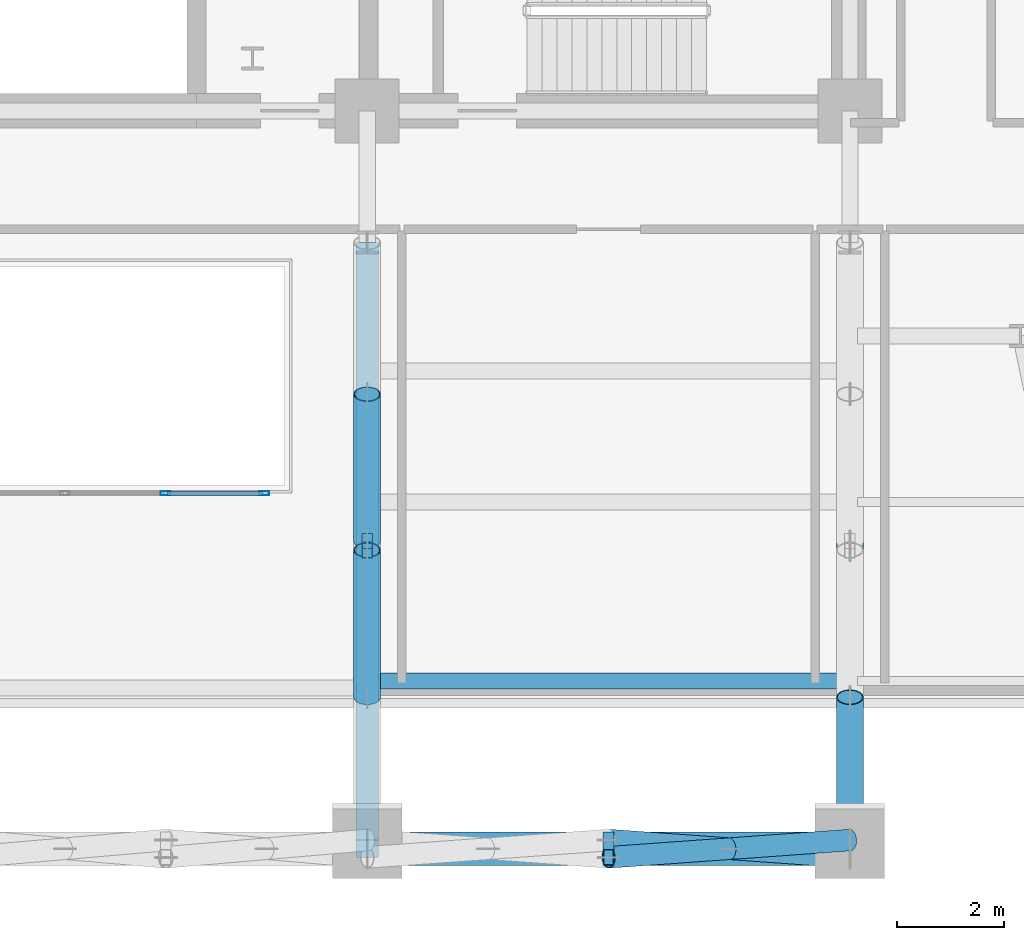
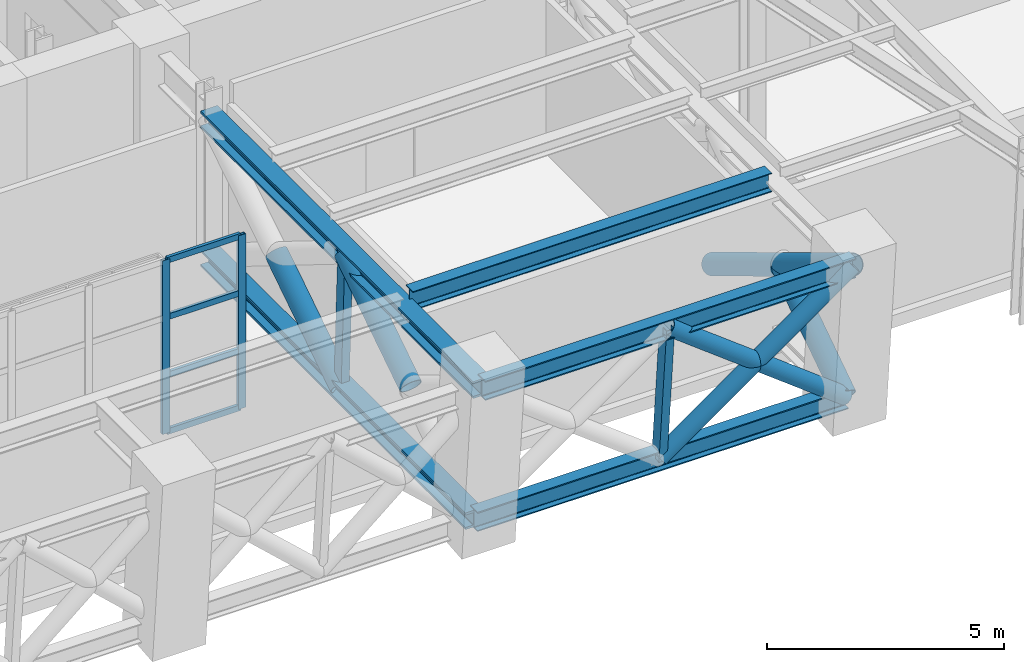
# One storey, part 4 of 13: 19 members, 1 beam, 1 element without a shape of its own.
"""IFC4 building model written with IfcOpenShell, lengths in metres."""

from ifc_helpers import new_model, si_unit, direction, frame, origin, origin_2d, place, context, subcontext, project, spatial, hollow_rectangle, hollow_circle, i_section, extrude, material, layer, layer_set, material_profile, profile_set, type_object, element, aggregate, save


model = new_model("IFC4")

# Units and contexts
model_context = context("Model", 3, precision=1e-05, world=origin(), true_north=direction((0.0, 1.0)))
body_context = subcontext(model_context, "Body", "Model", "MODEL_VIEW")
ifc_project = project(units=[si_unit("LENGTHUNIT", "METRE"), si_unit("AREAUNIT", "SQUARE_METRE"), si_unit("VOLUMEUNIT", "CUBIC_METRE"), si_unit("PLANEANGLEUNIT", "RADIAN"), si_unit("MASSUNIT", "GRAM", prefix="KILO")], contexts=[model_context])

# Site, building, storey
site_placement = place(None, origin())
site = spatial("IfcSite", under=ifc_project, at=site_placement, CompositionType="ELEMENT")
building_placement = place(site_placement, origin())
building = spatial("IfcBuilding", under=site, at=building_placement, Name="Zarnavel Station Tower", CompositionType="ELEMENT")
storey_placement = place(building_placement, frame((0.0, 0.0, 132.89990234375)))
storey = spatial("IfcBuildingStorey", under=building, at=storey_placement, Name="L36", CompositionType="ELEMENT", Elevation=132.89990234375)

# Members
ifc_material_1 = material(Name="Steel S460M", Category="steel")
ifc_material_profile_1 = material_profile(ifc_material_1, i_section(OverallWidth=0.300048828125, OverallDepth=0.5, WebThickness=0.014404296875, FlangeThickness=0.028076171875, FilletRadius=0.027099609375, at=origin_2d()), Name="HEB500")
ifc_profile_set_1 = profile_set([ifc_material_profile_1], Name="Steel S460M")
member_type_1 = type_object("IfcMemberType", Name="BT_CHORD_HEB500", PredefinedType="CHORD", material=ifc_profile_set_1)
for number, where, z_axis, x_axis, name in (
    (1, (36.35009765625, 14.148193359375, 0.400146484375), (1.0, 0.0, 0.0), (0.0, 1.0, 0.0), "L36 Perimeter Belt Truss Bottom Chord 4"),
    (2, (36.35009765625, 13.823974609375, 3.97998046875), (1.0, 0.0, 0.0), (0.0, 1.0, 0.0), "L36 Perimeter Belt Truss Top Chord 4"),
):
    element("IfcMember", number, at=place(storey_placement, frame(where, z_axis=z_axis, x_axis=x_axis)), inside=storey, type_object=member_type_1, Name=name, PredefinedType="CHORD", context=body_context, shape_type="SweptSolid", body=[
        extrude(i_section(OverallWidth=0.300048828125, OverallDepth=0.5, WebThickness=0.014404296875, FlangeThickness=0.028076171875, FilletRadius=0.027099609375, at=origin_2d()), origin(), (0.0, 0.0, 1.0), 9.0498046875),
    ])
ifc_material_2 = material(Name="Steel S460M", Category="steel")
ifc_material_profile_2 = material_profile(ifc_material_2, hollow_circle(Radius=0.203125, WallThickness=0.01611328125, at=origin_2d()), Name="CHS406.4x16")
ifc_profile_set_2 = profile_set([ifc_material_profile_2], Name="Steel S460M")
member_type_2 = type_object("IfcMemberType", Name="BT_DIAG_CHS406", PredefinedType="BRACE", material=ifc_profile_set_2)
member_1_placement = place(storey_placement, frame((40.875, 14.148193359375, 0.400146484375), z_axis=(0.783011299296, -0.056104403014, 0.619472034185), x_axis=(0.07146887229, 0.997442830589, 0.0)))
element("IfcMember", 3, at=member_1_placement, inside=storey, type_object=member_type_2, Name="L36 Belt Truss Continuous Diagonal A2 4", PredefinedType="BRACE", context=body_context, shape_type="SweptSolid", body=[
    extrude(hollow_circle(Radius=0.203125, WallThickness=0.01611328125, at=origin_2d()), origin(), (0.0, 0.0, 1.0), 5.77880859375),
])
for number, where, z_axis, x_axis, name in (
    (4, (45.39990234375, 14.148193359375, 0.400146484375), (-0.782990807201, -0.056102934713, 0.619498068242), (0.07146887229, -0.997442830589, 0.0), "L36 Belt Truss Split Diagonal B2 Lower 4"),
    (5, (43.137451171875, 13.986083984375, 2.190185546875), (-0.783031791603, -0.056105871331, 0.619445998083), (0.07146887229, -0.997442830589, 0.0), "L36 Belt Truss Split Diagonal B2 Upper 4"),
):
    element("IfcMember", number, at=place(storey_placement, frame(where, z_axis=z_axis, x_axis=x_axis)), inside=storey, type_object=member_type_2, Name=name, PredefinedType="BRACE", context=body_context, shape_type="SweptSolid", body=[
        extrude(hollow_circle(Radius=0.203125, WallThickness=0.01611328125, at=origin_2d()), origin(), (0.0, 0.0, 1.0), 2.889404296875),
    ])
ifc_material_3 = material(Name="Steel S460M", Category="steel")
ifc_material_profile_3 = material_profile(ifc_material_3, hollow_rectangle(XDim=0.199951171875, YDim=0.300048828125, WallThickness=0.012451171875, at=origin_2d()), Name="RHS300x200x12.5")
ifc_profile_set_3 = profile_set([ifc_material_profile_3], Name="Steel S460M")
member_type_3 = type_object("IfcMemberType", Name="BT_POST_RHS300", PredefinedType="POST", material=ifc_profile_set_3)
member_2_placement = place(storey_placement, frame((36.35009765625, 19.749267578125, 0.400146484375), z_axis=(0.0, -0.045305678131, 0.998973170575), x_axis=(1.0, 0.0, 0.0)))
element("IfcMember", 6, at=member_2_placement, inside=storey, type_object=member_type_3, Name="L36 Outrigger Mid-Span Post 3", PredefinedType="POST", context=body_context, shape_type="SweptSolid", body=[
    extrude(hollow_rectangle(XDim=0.199951171875, YDim=0.300048828125, WallThickness=0.012451171875, at=origin_2d()), origin(), (0.0, 0.0, 1.0), 3.58349609375),
])
member_3_placement = place(storey_placement, frame((40.875, 14.148193359375, 0.400146484375), z_axis=(0.0, -0.090198920139, 0.995923769576), x_axis=(1.0, 0.0, 0.0)))
element("IfcMember", 7, at=member_3_placement, inside=storey, type_object=member_type_3, Name="L36 Belt Truss Mid-Bay Post 4", PredefinedType="POST", context=body_context, shape_type="SweptSolid", body=[
    extrude(hollow_rectangle(XDim=0.199951171875, YDim=0.300048828125, WallThickness=0.012451171875, at=origin_2d()), origin(), (0.0, 0.0, 1.0), 3.594482421875),
])

# Curtain wall, members
ifc_material_4 = material(Name="Aluminium Dark Anodised and Solar-Control Glass", Category="aluminium")
ifc_layer = layer(ifc_material_4, 0.179931640625)
ifc_layer_set = layer_set([ifc_layer], Name="CWS4")
curtain_wall_type = type_object("IfcCurtainWallType", Name="CWS4", PredefinedType="NOTDEFINED", material=ifc_layer_set)
curtain_wall_placement = place(storey_placement, origin())
curtain_wall = element("IfcCurtainWall", 8, at=curtain_wall_placement, inside=storey, type_object=curtain_wall_type, Name="L36 Curtain Wall CWS4-L36-AS", PredefinedType="NOTDEFINED")
ifc_material_5 = material(Name="Steel S355J2 (Black Fluoropolymer Coated)", Category="steel")
ifc_material_profile_4 = material_profile(ifc_material_5, hollow_rectangle(XDim=0.080078125, YDim=0.179931640625, WallThickness=0.00634765625, at=origin_2d()), Name="RHS180x80x6.3")
ifc_profile_set_4 = profile_set([ifc_material_profile_4], Name="Steel S355J2 (Black Fluoropolymer Coated)")
member_type_4 = type_object("IfcMemberType", Name="CWS4_MUL", PredefinedType="MULLION", material=ifc_profile_set_4)
member_4_placement = place(storey_placement, frame((32.566650390625, 20.64990234375, 0.0), z_axis=(0.0, 0.0, 1.0), x_axis=(0.0, 1.0, 0.0)))
member_4 = element("IfcMember", 9, at=member_4_placement, type_object=member_type_4, Name="CW4 mullion 6", PredefinedType="MULLION", context=body_context, shape_type="SweptSolid", body=[
    extrude(hollow_rectangle(XDim=0.080078125, YDim=0.179931640625, WallThickness=0.00634765625, at=origin_2d()), origin(), (0.0, 0.0, 1.0), 4.47998046875),
])
member_5_placement = place(storey_placement, frame((34.419921875, 20.64990234375, 0.0), z_axis=(0.0, 0.0, 1.0), x_axis=(0.0, 1.0, 0.0)))
member_5 = element("IfcMember", 10, at=member_5_placement, type_object=member_type_4, Name="CW4 mullion 7", PredefinedType="MULLION", context=body_context, shape_type="SweptSolid", body=[
    extrude(hollow_rectangle(XDim=0.080078125, YDim=0.179931640625, WallThickness=0.00634765625, at=origin_2d()), origin(), (0.0, 0.0, 1.0), 4.47998046875),
])
ifc_material_6 = material(Name="Steel S355J2 (Black Fluoropolymer Coated)", Category="steel")
ifc_material_profile_5 = material_profile(ifc_material_6, hollow_rectangle(XDim=0.074951171875, YDim=0.14990234375, WallThickness=0.00634765625, at=origin_2d()), Name="RHS150x75x6.3")
ifc_profile_set_5 = profile_set([ifc_material_profile_5], Name="Steel S355J2 (Black Fluoropolymer Coated)")
member_type_5 = type_object("IfcMemberType", Name="CWS4_TRN", PredefinedType="USERDEFINED", material=ifc_profile_set_5)
member_6_placement = place(storey_placement, frame((32.5966796875, 20.64990234375, 0.030029296875), z_axis=(1.0, 0.0, 0.0), x_axis=(0.0, 1.0, 0.0)))
member_6 = element("IfcMember", 11, at=member_6_placement, type_object=member_type_5, Name="CW4 transom 6.1", ObjectType="TRANSOM", PredefinedType="USERDEFINED", context=body_context, shape_type="SweptSolid", body=[
    extrude(hollow_rectangle(XDim=0.074951171875, YDim=0.14990234375, WallThickness=0.00634765625, at=origin_2d()), origin(), (0.0, 0.0, 1.0), 1.793212890625),
])
member_7_placement = place(storey_placement, frame((32.5966796875, 20.64990234375, 1.493408203125), z_axis=(1.0, 0.0, 0.0), x_axis=(0.0, 1.0, 0.0)))
member_7 = element("IfcMember", 12, at=member_7_placement, type_object=member_type_5, Name="CW4 transom 6.2", ObjectType="TRANSOM", PredefinedType="USERDEFINED", context=body_context, shape_type="SweptSolid", body=[
    extrude(hollow_rectangle(XDim=0.074951171875, YDim=0.14990234375, WallThickness=0.00634765625, at=origin_2d()), origin(), (0.0, 0.0, 1.0), 1.793212890625),
])
member_8_placement = place(storey_placement, frame((32.5966796875, 20.64990234375, 2.98681640625), z_axis=(1.0, 0.0, 0.0), x_axis=(0.0, 1.0, 0.0)))
member_8 = element("IfcMember", 13, at=member_8_placement, type_object=member_type_5, Name="CW4 transom 6.3", ObjectType="TRANSOM", PredefinedType="USERDEFINED", context=body_context, shape_type="SweptSolid", body=[
    extrude(hollow_rectangle(XDim=0.074951171875, YDim=0.14990234375, WallThickness=0.00634765625, at=origin_2d()), origin(), (0.0, 0.0, 1.0), 1.793212890625),
])
member_9_placement = place(storey_placement, frame((32.5966796875, 20.64990234375, 4.4501953125), z_axis=(1.0, 0.0, 0.0), x_axis=(0.0, 1.0, 0.0)))
member_9 = element("IfcMember", 14, at=member_9_placement, type_object=member_type_5, Name="CW4 transom 6.4", ObjectType="TRANSOM", PredefinedType="USERDEFINED", context=body_context, shape_type="SweptSolid", body=[
    extrude(hollow_rectangle(XDim=0.074951171875, YDim=0.14990234375, WallThickness=0.00634765625, at=origin_2d()), origin(), (0.0, 0.0, 1.0), 1.793212890625),
])
aggregate(curtain_wall, [member_4, member_5, member_6, member_7, member_8, member_9])

# Beam
ifc_material_7 = material(Name="Steel S355J2", Category="steel")
ifc_material_profile_6 = material_profile(ifc_material_7, i_section(OverallWidth=0.300048828125, OverallDepth=0.489990234375, WebThickness=0.011962890625, FlangeThickness=0.02294921875, FilletRadius=0.027099609375, at=origin_2d()), Name="HEA500")
ifc_profile_set_6 = profile_set([ifc_material_profile_6], Name="Steel S355J2")
beam_type = type_object("IfcBeamType", Name="FB_HEA500", PredefinedType="BEAM", material=ifc_profile_set_6)
beam_placement = place(storey_placement, frame((36.4951171875, 17.1337890625, 4.235107421875), z_axis=(1.0, 0.0, 0.0), x_axis=(0.0, 1.0, 0.0)))
element("IfcBeam", 15, at=beam_placement, inside=storey, type_object=beam_type, Name="L36 East Bay Beam 1", PredefinedType="BEAM", context=body_context, shape_type="SweptSolid", body=[
    extrude(i_section(OverallWidth=0.300048828125, OverallDepth=0.489990234375, WebThickness=0.011962890625, FlangeThickness=0.02294921875, FilletRadius=0.027099609375, at=origin_2d()), origin(), (0.0, 0.0, 1.0), 8.759765625),
])

# Members
ifc_material_8 = material(Name="Steel S460M", Category="steel")
ifc_material_profile_7 = material_profile(ifc_material_8, i_section(OverallWidth=0.41796875, OverallDepth=0.431884765625, WebThickness=0.034912109375, FlangeThickness=0.055908203125, FilletRadius=0.014892578125, at=origin_2d()), Name="HD400x421")
ifc_profile_set_7 = profile_set([ifc_material_profile_7], Name="Steel S460M")
member_type_6 = type_object("IfcMemberType", Name="OT_CHORD_HD421", PredefinedType="CHORD", material=ifc_profile_set_7)
member_10_placement = place(storey_placement, frame((36.35009765625, 14.148193359375, 0.400146484375), z_axis=(0.0, 1.0, 0.0), x_axis=(-1.0, 0.0, 0.0)))
element("IfcMember", 16, at=member_10_placement, inside=storey, type_object=member_type_6, Name="L36 Outrigger Bottom Chord 3", PredefinedType="CHORD", context=body_context, shape_type="SweptSolid", body=[
    extrude(i_section(OverallWidth=0.41796875, OverallDepth=0.431884765625, WebThickness=0.034912109375, FlangeThickness=0.055908203125, FilletRadius=0.014892578125, at=origin_2d()), origin(), (0.0, 0.0, 1.0), 11.201904296875),
])
member_11_placement = place(storey_placement, frame((36.35009765625, 13.823974609375, 3.97998046875), z_axis=(0.0, 1.0, 0.0), x_axis=(-1.0, 0.0, 0.0)))
element("IfcMember", 17, at=member_11_placement, inside=storey, type_object=member_type_6, Name="L36 Outrigger Top Chord 3", PredefinedType="CHORD", context=body_context, shape_type="SweptSolid", body=[
    extrude(i_section(OverallWidth=0.41796875, OverallDepth=0.431884765625, WebThickness=0.034912109375, FlangeThickness=0.055908203125, FilletRadius=0.014892578125, at=origin_2d()), origin(), (0.0, 0.0, 1.0), 11.526123046875),
])
ifc_material_9 = material(Name="Steel S460M", Category="steel")
ifc_material_profile_8 = material_profile(ifc_material_9, hollow_circle(Radius=0.25390625, WallThickness=0.02001953125, at=origin_2d()), Name="CHS508x20")
ifc_profile_set_8 = profile_set([ifc_material_profile_8], Name="Steel S460M")
member_type_7 = type_object("IfcMemberType", Name="OT_DIAG_CHS508", PredefinedType="STRUT", material=ifc_profile_set_8)
member_12_placement = place(storey_placement, frame((36.35009765625, 19.749267578125, 0.400146484375), z_axis=(0.0, 0.83897227662, 0.544174162436), x_axis=(-1.0, 0.0, 0.0)))
element("IfcMember", 18, at=member_12_placement, inside=storey, type_object=member_type_7, Name="L36 Outrigger Split Inner Strut Lower 3", PredefinedType="STRUT", context=body_context, shape_type="SweptSolid", body=[
    extrude(hollow_circle(Radius=0.25390625, WallThickness=0.02001953125, at=origin_2d()), origin(), (0.0, 0.0, 1.0), 3.28955078125),
])
member_13_placement = place(storey_placement, frame((36.35009765625, 16.8271484375, 2.190185546875), z_axis=(0.0, 0.839006160855, 0.544121918367), x_axis=(-1.0, 0.0, 0.0)))
element("IfcMember", 19, at=member_13_placement, inside=storey, type_object=member_type_7, Name="L36 Outrigger Split Outer Strut Upper 3", PredefinedType="STRUT", context=body_context, shape_type="SweptSolid", body=[
    extrude(hollow_circle(Radius=0.25390625, WallThickness=0.02001953125, at=origin_2d()), origin(), (0.0, 0.0, 1.0), 3.289306640625),
])
member_14_placement = place(storey_placement, frame((45.39990234375, 19.749267578125, 0.400146484375), z_axis=(0.0, -0.85591749309, 0.517112410432), x_axis=(1.0, 0.0, 0.0)))
element("IfcMember", 20, at=member_14_placement, inside=storey, type_object=member_type_7, Name="L36 Outrigger Continuous Outer Diagonal 4", PredefinedType="STRUT", context=body_context, shape_type="SweptSolid", body=[
    extrude(hollow_circle(Radius=0.25390625, WallThickness=0.02001953125, at=origin_2d()), origin(), (0.0, 0.0, 1.0), 6.9228515625),
])
member_15_placement = place(storey_placement, frame((45.39990234375, 14.148193359375, 0.400146484375), z_axis=(0.0, 0.831466958854, 0.555574204166), x_axis=(-1.0, 0.0, 0.0)))
element("IfcMember", 21, at=member_15_placement, inside=storey, type_object=member_type_7, Name="L36 Outrigger Split Outer Strut Lower 4", PredefinedType="STRUT", context=body_context, shape_type="SweptSolid", body=[
    extrude(hollow_circle(Radius=0.25390625, WallThickness=0.02001953125, at=origin_2d()), origin(), (0.0, 0.0, 1.0), 3.221923828125),
])

save(model, "model.ifc")
